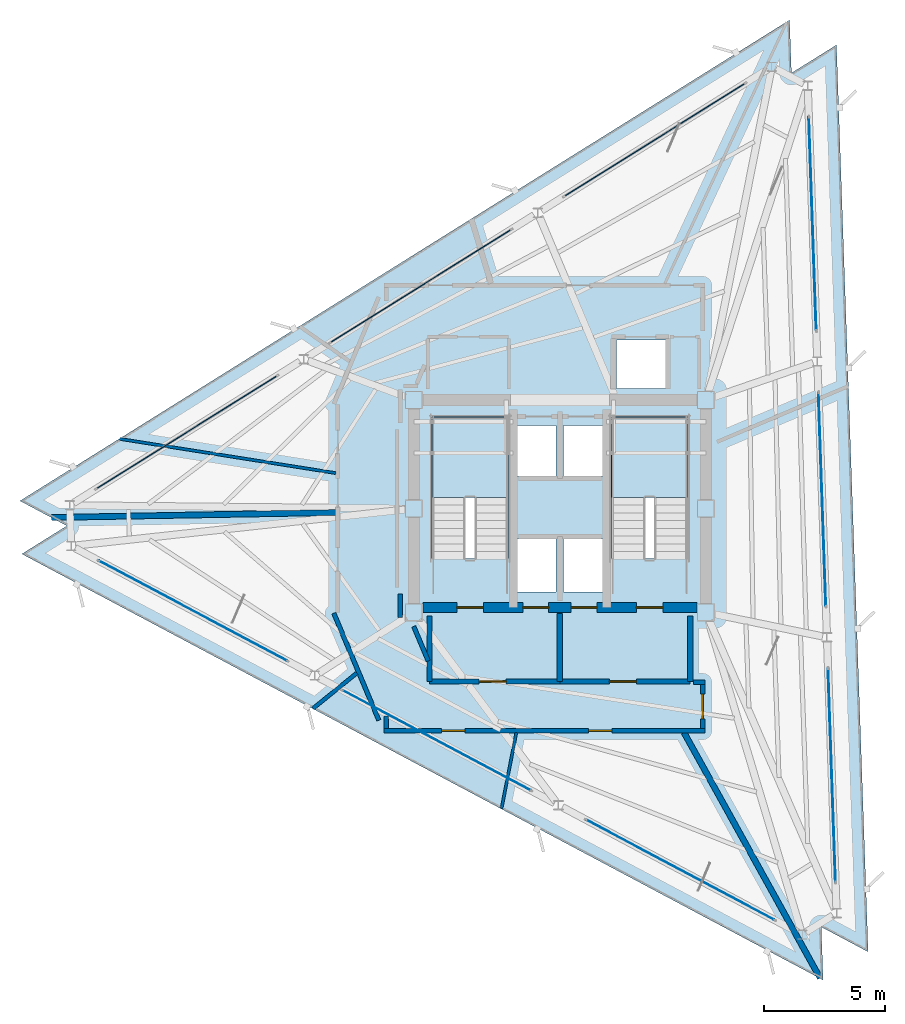
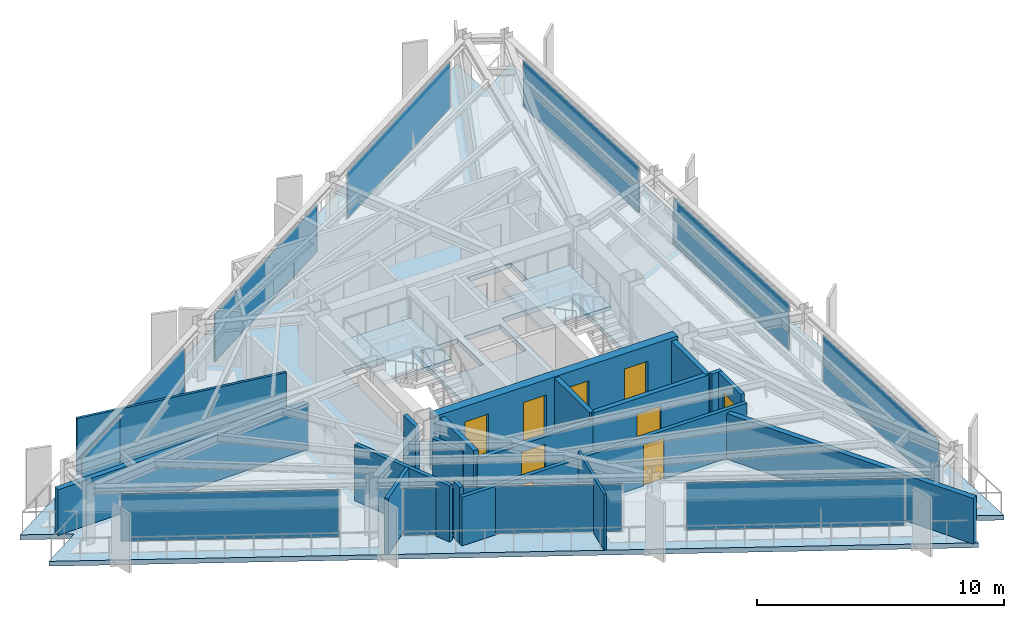
# One storey, part 8 of 13: 18 walls, 9 doors, 9 plates, 3 slabs, 9 openings, 11 elements without a shape of their own.
"""IFC4 building model written with IfcOpenShell, lengths in metres."""

from ifc_helpers import new_model, si_unit, direction, frame, frame_2d, origin, origin_2d, place, context, subcontext, project, spatial, polyline, rectangle, outline, extrude, material, layer, layer_set, type_object, element, fill, aggregate, save


model = new_model("IFC4")

# Units and contexts
model_context = context("Model", 3, precision=1e-05, world=origin(), true_north=direction((0.0, 1.0)))
body_context = subcontext(model_context, "Body", "Model", "MODEL_VIEW")
ifc_project = project(units=[si_unit("LENGTHUNIT", "METRE"), si_unit("AREAUNIT", "SQUARE_METRE"), si_unit("VOLUMEUNIT", "CUBIC_METRE"), si_unit("PLANEANGLEUNIT", "RADIAN"), si_unit("MASSUNIT", "GRAM", prefix="KILO")], contexts=[model_context])

# Site, building, storey
site_placement = place(None, origin())
site = spatial("IfcSite", under=ifc_project, at=site_placement, CompositionType="ELEMENT")
building_placement = place(site_placement, origin())
building = spatial("IfcBuilding", under=site, at=building_placement, Name="Rocaltana Carrier Exchange", CompositionType="ELEMENT")
storey_placement = place(building_placement, frame((0.0, 0.0, 196.639892578125)))
storey = spatial("IfcBuildingStorey", under=building, at=storey_placement, Name="L62", CompositionType="ELEMENT", Elevation=196.639892578125)

# Curtain wall, plate
ifc_material_1 = material(Name="Aluminium 6063-T6", Category="aluminium")
ifc_layer_1 = layer(ifc_material_1, 0.1201171875)
ifc_layer_set_1 = layer_set([ifc_layer_1], Name="Aluminium 6063-T6")
curtain_wall_type = type_object("IfcCurtainWallType", Name="High-Altitude Thermal Curtain Wall CW-05", PredefinedType="NOTDEFINED", material=ifc_layer_set_1)
curtain_wall_1_placement = place(storey_placement, origin())
curtain_wall_1 = element("IfcCurtainWall", 1, at=curtain_wall_1_placement, inside=storey, type_object=curtain_wall_type, Name="L62 CW-05 Run CW-L62-F1S1", PredefinedType="NOTDEFINED")
ifc_material_2 = material(Name="Tempered Laminated Glass", Category="glass")
ifc_layer_2 = layer(ifc_material_2, 0.035888671875)
ifc_layer_set_2 = layer_set([ifc_layer_2], Name="Tempered Laminated Glass")
plate_type = type_object("IfcPlateType", Name="CW-05 Stone-Insulated Vision Panel", PredefinedType="CURTAIN_PANEL", material=ifc_layer_set_2)
plate_1_placement = place(storey_placement, frame((11.266845703125, -11.046875, 0.06005859375), z_axis=(0.0, 0.0, 1.0), x_axis=(-0.034914127567, 0.999390315991, 0.0)))
plate_1 = element("IfcPlate", 2, at=plate_1_placement, type_object=plate_type, Name="CW-05 panel 1.1", PredefinedType="CURTAIN_PANEL", context=body_context, shape_type="SweptSolid", body=[
    extrude(rectangle(XDim=8.813232421875, YDim=0.035888671875, at=origin_2d()), origin(), (0.0, 0.0, 1.0), 2.327880859375),
])
aggregate(curtain_wall_1, [plate_1])

curtain_wall_2_placement = place(storey_placement, origin())
curtain_wall_2 = element("IfcCurtainWall", 3, at=curtain_wall_2_placement, inside=storey, type_object=curtain_wall_type, Name="L62 CW-05 Run CW-L62-F1S2", PredefinedType="NOTDEFINED")
plate_2_placement = place(storey_placement, frame((10.86767578125, 0.37939453125, 0.06005859375), z_axis=(0.0, 0.0, 1.0), x_axis=(-0.034902556738, 0.999390720156, 0.0)))
plate_2 = element("IfcPlate", 4, at=plate_2_placement, type_object=plate_type, Name="CW-05 panel 1.1", PredefinedType="CURTAIN_PANEL", context=body_context, shape_type="SweptSolid", body=[
    extrude(rectangle(XDim=8.8134765625, YDim=0.035888671875, at=origin_2d()), origin(), (0.0, 0.0, 1.0), 2.327880859375),
])
aggregate(curtain_wall_2, [plate_2])

curtain_wall_3_placement = place(storey_placement, origin())
curtain_wall_3 = element("IfcCurtainWall", 5, at=curtain_wall_3_placement, inside=storey, type_object=curtain_wall_type, Name="L62 CW-05 Run CW-L62-F1S3", PredefinedType="NOTDEFINED")
plate_3_placement = place(storey_placement, frame((10.46875, 11.805908203125, 0.06005859375), z_axis=(0.0, 0.0, 1.0), x_axis=(-0.034902556738, 0.999390720156, 0.0)))
plate_3 = element("IfcPlate", 6, at=plate_3_placement, type_object=plate_type, Name="CW-05 panel 1.1", PredefinedType="CURTAIN_PANEL", context=body_context, shape_type="SweptSolid", body=[
    extrude(rectangle(XDim=8.8134765625, YDim=0.035888671875, at=origin_2d()), origin(), (0.0, 0.0, 1.0), 2.327880859375),
])
aggregate(curtain_wall_3, [plate_3])

curtain_wall_4_placement = place(storey_placement, origin())
curtain_wall_4 = element("IfcCurtainWall", 7, at=curtain_wall_4_placement, inside=storey, type_object=curtain_wall_type, Name="L62 CW-05 Run CW-L62-F2S1", PredefinedType="NOTDEFINED")
plate_4_placement = place(storey_placement, frame((3.93359375, 15.28076171875, 0.06005859375), z_axis=(0.0, 0.0, 1.0), x_axis=(-0.848042322807, -0.529928503412, 0.0)))
plate_4 = element("IfcPlate", 8, at=plate_4_placement, type_object=plate_type, Name="CW-05 panel 1.1", PredefinedType="CURTAIN_PANEL", context=body_context, shape_type="SweptSolid", body=[
    extrude(rectangle(XDim=8.813232421875, YDim=0.035888671875, at=origin_2d()), origin(), (0.0, 0.0, 1.0), 2.327880859375),
])
aggregate(curtain_wall_4, [plate_4])

curtain_wall_5_placement = place(storey_placement, origin())
curtain_wall_5 = element("IfcCurtainWall", 9, at=curtain_wall_5_placement, inside=storey, type_object=curtain_wall_type, Name="L62 CW-05 Run CW-L62-F2S2", PredefinedType="NOTDEFINED")
plate_5_placement = place(storey_placement, frame((-5.762451171875, 9.221923828125, 0.06005859375), z_axis=(0.0, 0.0, 1.0), x_axis=(-0.848047353446, -0.529920452816, 0.0)))
plate_5 = element("IfcPlate", 10, at=plate_5_placement, type_object=plate_type, Name="CW-05 panel 1.1", PredefinedType="CURTAIN_PANEL", context=body_context, shape_type="SweptSolid", body=[
    extrude(rectangle(XDim=8.813232421875, YDim=0.035888671875, at=origin_2d()), origin(), (0.0, 0.0, 1.0), 2.327880859375),
])
aggregate(curtain_wall_5, [plate_5])

curtain_wall_6_placement = place(storey_placement, origin())
curtain_wall_6 = element("IfcCurtainWall", 11, at=curtain_wall_6_placement, inside=storey, type_object=curtain_wall_type, Name="L62 CW-05 Run CW-L62-F2S3", PredefinedType="NOTDEFINED")
plate_6_placement = place(storey_placement, frame((-15.45849609375, 3.163330078125, 0.06005859375), z_axis=(0.0, 0.0, 1.0), x_axis=(-0.848050496896, -0.529915422228, 0.0)))
plate_6 = element("IfcPlate", 12, at=plate_6_placement, type_object=plate_type, Name="CW-05 panel 1.1", PredefinedType="CURTAIN_PANEL", context=body_context, shape_type="SweptSolid", body=[
    extrude(rectangle(XDim=8.813232421875, YDim=0.035888671875, at=origin_2d()), origin(), (0.0, 0.0, 1.0), 2.327880859375),
])
aggregate(curtain_wall_6, [plate_6])

curtain_wall_7_placement = place(storey_placement, origin())
curtain_wall_7 = element("IfcCurtainWall", 13, at=curtain_wall_7_placement, inside=storey, type_object=curtain_wall_type, Name="L62 CW-05 Run CW-L62-F3S1", PredefinedType="NOTDEFINED")
plate_7_placement = place(storey_placement, frame((-15.2001953125, -4.23388671875, 0.06005859375), z_axis=(0.0, 0.0, 1.0), x_axis=(0.882941304732, -0.469483388841, 0.0)))
plate_7 = element("IfcPlate", 14, at=plate_7_placement, type_object=plate_type, Name="CW-05 panel 1.1", PredefinedType="CURTAIN_PANEL", context=body_context, shape_type="SweptSolid", body=[
    extrude(rectangle(XDim=8.8134765625, YDim=0.035888671875, at=origin_2d()), origin(), (0.0, 0.0, 1.0), 2.327880859375),
])
aggregate(curtain_wall_7, [plate_7])

curtain_wall_8_placement = place(storey_placement, origin())
curtain_wall_8 = element("IfcCurtainWall", 15, at=curtain_wall_8_placement, inside=storey, type_object=curtain_wall_type, Name="L62 CW-05 Run CW-L62-F3S2", PredefinedType="NOTDEFINED")
plate_8_placement = place(storey_placement, frame((-5.105224609375, -9.6015625, 0.06005859375), z_axis=(0.0, 0.0, 1.0), x_axis=(0.882943477624, -0.469479302335, 0.0)))
plate_8 = element("IfcPlate", 16, at=plate_8_placement, type_object=plate_type, Name="CW-05 panel 1.1", PredefinedType="CURTAIN_PANEL", context=body_context, shape_type="SweptSolid", body=[
    extrude(rectangle(XDim=8.813232421875, YDim=0.035888671875, at=origin_2d()), origin(), (0.0, 0.0, 1.0), 2.327880859375),
])
aggregate(curtain_wall_8, [plate_8])

curtain_wall_9_placement = place(storey_placement, origin())
curtain_wall_9 = element("IfcCurtainWall", 17, at=curtain_wall_9_placement, inside=storey, type_object=curtain_wall_type, Name="L62 CW-05 Run CW-L62-F3S3", PredefinedType="NOTDEFINED")
plate_9_placement = place(storey_placement, frame((4.98974609375, -14.968994140625, 0.06005859375), z_axis=(0.0, 0.0, 1.0), x_axis=(0.882945944879, -0.469474662173, 0.0)))
plate_9 = element("IfcPlate", 18, at=plate_9_placement, type_object=plate_type, Name="CW-05 panel 1.1", PredefinedType="CURTAIN_PANEL", context=body_context, shape_type="SweptSolid", body=[
    extrude(rectangle(XDim=8.8134765625, YDim=0.035888671875, at=origin_2d()), origin(), (0.0, 0.0, 1.0), 2.327880859375),
])
aggregate(curtain_wall_9, [plate_9])

# Slab
ifc_material_3 = material(Name="Concrete C50/60", Category="concrete")
ifc_layer_3 = layer(ifc_material_3, 0.239990234375)
ifc_layer_set_3 = layer_set([ifc_layer_3], Name="Concrete C50/60")
slab_type_1 = type_object("IfcSlabType", Name="High-Zone Tower Slab 240", PredefinedType="FLOOR", material=ifc_layer_set_3)
slab_1_placement = place(storey_placement, frame((0.0, 0.0, -0.239990234375)))
element("IfcSlab", 19, at=slab_1_placement, inside=storey, type_object=slab_type_1, Name="L62 Structural Floor Slab", PredefinedType="FLOOR", context=body_context, shape_type="SweptSolid", body=[
    extrude(outline(polyline([(10.907470703125, -19.53125), (10.83056640625, -17.33251953125), (12.773193359375, -18.365478515625), (11.4609375, 19.211669921875), (9.59521484375, 18.0458984375), (9.518310546875, 20.244384765625), (-22.3681640625, 0.319580078125), (-20.42578125, -0.71337890625), (-22.29150390625, -1.879150390625), (10.907470703125, -19.53125)]), holes=[polyline([(-5.300048828125, -2.06005859375), (-2.139892578125, -2.06005859375), (-2.139892578125, 3.800048828125), (-5.300048828125, 3.800048828125), (-5.300048828125, -2.06005859375)]), polyline([(2.139892578125, -2.06005859375), (5.300048828125, -2.06005859375), (5.300048828125, 3.800048828125), (2.139892578125, 3.800048828125), (2.139892578125, -2.06005859375)]), polyline([(-1.85009765625, -3.449951171875), (-0.14990234375, -3.449951171875), (-0.14990234375, -1.25), (-1.85009765625, -1.25), (-1.85009765625, -3.449951171875)]), polyline([(0.14990234375, -3.449951171875), (1.85009765625, -3.449951171875), (1.85009765625, -1.25), (0.14990234375, -1.25), (0.14990234375, -3.449951171875)]), polyline([(2.35009765625, 4.97998046875), (4.39990234375, 4.97998046875), (4.39990234375, 6.97998046875), (2.35009765625, 6.97998046875), (2.35009765625, 4.97998046875)]), polyline([(-1.85009765625, 1.35009765625), (-0.14990234375, 1.35009765625), (-0.14990234375, 3.449951171875), (-1.85009765625, 3.449951171875), (-1.85009765625, 1.35009765625)]), polyline([(0.14990234375, 1.35009765625), (1.85009765625, 1.35009765625), (1.85009765625, 3.449951171875), (0.14990234375, 3.449951171875), (0.14990234375, 1.35009765625)])]), origin(), (0.0, 0.0, 1.0), 0.239990234375),
])

# Stair, slab
ifc_material_4 = material(Name="Precast concrete C45/55", Category="concrete")
stair_type = type_object("IfcStairType", Name="Standard Dog-Leg Stair 160", PredefinedType="HALF_TURN_STAIR", material=ifc_material_4)
stair_1_placement = place(storey_placement, origin())
stair_1 = element("IfcStair", 20, at=stair_1_placement, inside=storey, type_object=stair_type, Name="L62 Core West Exit Stair ST-1", PredefinedType="HALF_TURN_STAIR")
ifc_material_5 = material(Name="Precast concrete C45/55", Category="concrete")
ifc_layer_4 = layer(ifc_material_5, 0.199951171875)
ifc_layer_set_4 = layer_set([ifc_layer_4], Name="Precast concrete C45/55")
slab_type_2 = type_object("IfcSlabType", Name="Precast Stair Half-Landing 200", PredefinedType="LANDING", material=ifc_layer_set_4)
slab_2_placement = place(storey_placement, frame((0.0, 0.0, 1.320068359375)))
slab_2 = element("IfcSlab", 21, at=slab_2_placement, type_object=slab_type_2, Name="ST-1 landing 1", PredefinedType="LANDING", context=body_context, shape_type="SweptSolid", body=[
    extrude(outline(polyline([(-2.139892578125, 0.4599609375), (-2.139892578125, 3.800048828125), (-5.300048828125, 3.800048828125), (-5.300048828125, 0.4599609375), (-2.139892578125, 0.4599609375)])), origin(), (0.0, 0.0, 1.0), 0.199951171875),
])
aggregate(stair_1, [slab_2])

stair_2_placement = place(storey_placement, origin())
stair_2 = element("IfcStair", 22, at=stair_2_placement, inside=storey, type_object=stair_type, Name="L62 Core East Exit Stair ST-2", PredefinedType="HALF_TURN_STAIR")
slab_3_placement = place(storey_placement, frame((0.0, 0.0, 1.320068359375)))
slab_3 = element("IfcSlab", 23, at=slab_3_placement, type_object=slab_type_2, Name="ST-2 landing 1", PredefinedType="LANDING", context=body_context, shape_type="SweptSolid", body=[
    extrude(outline(polyline([(5.300048828125, 0.4599609375), (5.300048828125, 3.800048828125), (2.139892578125, 3.800048828125), (2.139892578125, 0.4599609375), (5.300048828125, 0.4599609375)])), origin(), (0.0, 0.0, 1.0), 0.199951171875),
])
aggregate(stair_2, [slab_3])

# Wall
ifc_material_6 = material(Name="Double Acoustic Gypsum Partition", Category="gypsum")
ifc_layer_5 = layer(ifc_material_6, 0.159912109375)
ifc_layer_set_5 = layer_set([ifc_layer_5], Name="Double Acoustic Gypsum Partition")
wall_type_1 = type_object("IfcWallType", Name="Acoustic Studio Partition 160 EI60", PredefinedType="PARTITIONING", material=ifc_layer_set_5)
wall_1_placement = place(storey_placement, frame((-8.4111328125, -6.811279296875, 0.0), z_axis=(0.0, 0.0, 1.0), x_axis=(-0.777176762159, -0.629282353448, 0.0)))
element("IfcWall", 24, at=wall_1_placement, inside=storey, type_object=wall_type_1, Name="L62 Suite Divider Wall D2", PredefinedType="PARTITIONING", context=body_context, shape_type="SweptSolid", body=[
    extrude(rectangle(XDim=2.33740234375, YDim=0.159912109375, at=frame_2d((1.168701171875, 0.0))), origin(), (0.0, 0.0, 1.0), 2.773193359375),
])

# Wall, openings, doors
ifc_material_7 = material(Name="Concrete C50/60", Category="concrete")
ifc_layer_6 = layer(ifc_material_7, 0.39990234375)
ifc_layer_set_6 = layer_set([ifc_layer_6], Name="Concrete C50/60")
wall_type_2 = type_object("IfcWallType", Name="Core Internal Shear Wall 400", PredefinedType="SHEAR", material=ifc_layer_set_6)
wall_2_placement = place(storey_placement, frame((-5.675048828125, -4.10009765625, 0.0), z_axis=(0.0, 0.0, 1.0), x_axis=(1.0, 0.0, 0.0)))
wall_2 = element("IfcWall", 25, at=wall_2_placement, inside=storey, type_object=wall_type_2, Name="L62 Core Shear Wall CW-S", PredefinedType="SHEAR", context=body_context, shape_type="SweptSolid", body=[
    extrude(rectangle(XDim=11.35009765625, YDim=0.39990234375, at=frame_2d((5.675048828125, 0.0))), origin(), (0.0, 0.0, 1.0), 2.798095703125),
])
opening_1_placement = place(wall_2_placement, frame((1.405029296875, 0.0, 0.0)))
opening_1 = element("IfcOpeningElement", 26, at=opening_1_placement, cuts=wall_2, Name="Opening D-ST110", PredefinedType="OPENING", context=body_context, shape_type="SweptSolid", body=[
    extrude(rectangle(XDim=1.10009765625, YDim=2.0400390625, at=frame_2d((0.550048828125, 1.02001953125))), frame((0.0, 0.2099609375, 0.0), z_axis=(0.0, -1.0, 0.0), x_axis=(1.0, 0.0, 0.0)), (0.0, 0.0, 1.0), 0.419921875),
])
opening_2_placement = place(wall_2_placement, frame((8.844970703125, 0.0, 0.0)))
opening_2 = element("IfcOpeningElement", 27, at=opening_2_placement, cuts=wall_2, Name="Opening D-ST110", PredefinedType="OPENING", context=body_context, shape_type="SweptSolid", body=[
    extrude(rectangle(XDim=1.10009765625, YDim=2.0400390625, at=frame_2d((0.550048828125, 1.02001953125))), frame((0.0, 0.2099609375, 0.0), z_axis=(0.0, -1.0, 0.0), x_axis=(1.0, 0.0, 0.0)), (0.0, 0.0, 1.0), 0.419921875),
])
opening_3_placement = place(wall_2_placement, frame((4.14501953125, 0.0, 0.0)))
opening_3 = element("IfcOpeningElement", 28, at=opening_3_placement, cuts=wall_2, Name="Opening LD-110", PredefinedType="OPENING", context=body_context, shape_type="SweptSolid", body=[
    extrude(rectangle(XDim=1.06005859375, YDim=2.0400390625, at=frame_2d((0.530029296875, 1.02001953125))), frame((0.0, 0.2099609375, 0.0), z_axis=(0.0, -1.0, 0.0), x_axis=(1.0, 0.0, 0.0)), (0.0, 0.0, 1.0), 0.419921875),
])
opening_4_placement = place(wall_2_placement, frame((6.14501953125, 0.0, 0.0)))
opening_4 = element("IfcOpeningElement", 29, at=opening_4_placement, cuts=wall_2, Name="Opening LD-110", PredefinedType="OPENING", context=body_context, shape_type="SweptSolid", body=[
    extrude(rectangle(XDim=1.06005859375, YDim=2.0400390625, at=frame_2d((0.530029296875, 1.02001953125))), frame((0.0, 0.2099609375, 0.0), z_axis=(0.0, -1.0, 0.0), x_axis=(1.0, 0.0, 0.0)), (0.0, 0.0, 1.0), 0.419921875),
])
ifc_material_8 = material(Name="Hollow Metal Fire Door Assembly", Category="steel")
door_type_1 = type_object("IfcDoorType", Name="Exit Stair Fire Door 1100x2040 FD90S", OperationType="NOTDEFINED", PredefinedType="DOOR", material=ifc_material_8)
door_1_placement = place(opening_1_placement, origin())
door_1 = element("IfcDoor", 30, at=door_1_placement, inside=storey, type_object=door_type_1, Name="L62 Exit Stair ST1 Fire Door", OperationType="SINGLE_SWING_LEFT", OverallHeight=2.0400390625, OverallWidth=1.10009765625, PredefinedType="DOOR", context=body_context, shape_type="SweptSolid", body=[
    extrude(rectangle(XDim=1.10009765625, YDim=2.0400390625, at=frame_2d((0.550048828125, 1.02001953125))), frame((0.0, 0.02490234375, 0.0), z_axis=(0.0, -1.0, 0.0), x_axis=(1.0, 0.0, 0.0)), (0.0, 0.0, 1.0), 0.050048828125),
])
fill(opening_1, door_1)
door_2_placement = place(opening_2_placement, origin())
door_2 = element("IfcDoor", 31, at=door_2_placement, inside=storey, type_object=door_type_1, Name="L62 Exit Stair ST2 Fire Door", OperationType="SINGLE_SWING_RIGHT", OverallHeight=2.0400390625, OverallWidth=1.10009765625, PredefinedType="DOOR", context=body_context, shape_type="SweptSolid", body=[
    extrude(rectangle(XDim=1.10009765625, YDim=2.0400390625, at=frame_2d((0.550048828125, 1.02001953125))), frame((0.0, 0.02490234375, 0.0), z_axis=(0.0, -1.0, 0.0), x_axis=(1.0, 0.0, 0.0)), (0.0, 0.0, 1.0), 0.050048828125),
])
fill(opening_2, door_2)
ifc_material_9 = material(Name="Brushed Stainless Sliding Door Leaf", Category="steel")
door_type_2 = type_object("IfcDoorType", Name="Lift Landing Sliding Door 1060x2040", OperationType="NOTDEFINED", PredefinedType="DOOR", material=ifc_material_9)
door_3_placement = place(opening_3_placement, origin())
door_3 = element("IfcDoor", 32, at=door_3_placement, inside=storey, type_object=door_type_2, Name="L62 Firefighting Lift FFL1 Landing Door", OperationType="SLIDING_TO_LEFT", OverallHeight=2.0400390625, OverallWidth=1.06005859375, PredefinedType="DOOR", context=body_context, shape_type="SweptSolid", body=[
    extrude(rectangle(XDim=1.06005859375, YDim=2.0400390625, at=frame_2d((0.530029296875, 1.02001953125))), frame((0.0, 0.02490234375, 0.0), z_axis=(0.0, -1.0, 0.0), x_axis=(1.0, 0.0, 0.0)), (0.0, 0.0, 1.0), 0.050048828125),
])
fill(opening_3, door_3)
door_4_placement = place(opening_4_placement, origin())
door_4 = element("IfcDoor", 33, at=door_4_placement, inside=storey, type_object=door_type_2, Name="L62 Firefighting Lift FFL2 Landing Door", OperationType="SLIDING_TO_RIGHT", OverallHeight=2.0400390625, OverallWidth=1.06005859375, PredefinedType="DOOR", context=body_context, shape_type="SweptSolid", body=[
    extrude(rectangle(XDim=1.06005859375, YDim=2.0400390625, at=frame_2d((0.530029296875, 1.02001953125))), frame((0.0, 0.02490234375, 0.0), z_axis=(0.0, -1.0, 0.0), x_axis=(1.0, 0.0, 0.0)), (0.0, 0.0, 1.0), 0.050048828125),
])
fill(opening_4, door_4)

# Walls
ifc_material_10 = material(Name="Gypsum & Steel Stud Partition", Category="steel")
ifc_layer_7 = layer(ifc_material_10, 0.179931640625)
ifc_layer_set_7 = layer_set([ifc_layer_7], Name="Gypsum & Steel Stud Partition")
wall_type_3 = type_object("IfcWallType", Name="Corridor Fire Partition 180 EI60", PredefinedType="PARTITIONING", material=ifc_layer_set_7)
wall_3_placement = place(storey_placement, frame((-7.501220703125, -8.768798828125, 0.0), z_axis=(0.0, 0.0, 1.0), x_axis=(-0.387573945081, 0.921838617706, 0.0)))
element("IfcWall", 34, at=wall_3_placement, inside=storey, type_object=wall_type_3, Name="L62 Corridor Partition 1", PredefinedType="PARTITIONING", context=body_context, shape_type="SweptSolid", body=[
    extrude(rectangle(XDim=4.813232421875, YDim=0.179931640625, at=frame_2d((2.40673828125, 0.0))), origin(), (0.0, 0.0, 1.0), 2.773193359375),
])
wall_4_placement = place(storey_placement, frame((-6.610107421875, -3.541259765625, 0.0), z_axis=(0.0, 0.0, 1.0), x_axis=(0.0, -1.0, 0.0)))
element("IfcWall", 35, at=wall_4_placement, inside=storey, type_object=wall_type_3, Name="L62 Corridor Partition 12", PredefinedType="PARTITIONING", context=body_context, shape_type="SweptSolid", body=[
    extrude(rectangle(XDim=0.978759765625, YDim=0.179931640625, at=frame_2d((0.4892578125, 0.0))), origin(), (0.0, 0.0, 1.0), 2.773193359375),
])
wall_5_placement = place(storey_placement, frame((-6.0546875, -4.881591796875, 0.0), z_axis=(0.0, 0.0, 1.0), x_axis=(0.387579540458, -0.921836265189, 0.0)))
element("IfcWall", 36, at=wall_5_placement, inside=storey, type_object=wall_type_3, Name="L62 Corridor Partition 13", PredefinedType="PARTITIONING", context=body_context, shape_type="SweptSolid", body=[
    extrude(rectangle(XDim=1.5546875, YDim=0.179931640625, at=frame_2d((0.77734375, 0.0))), origin(), (0.0, 0.0, 1.0), 2.253173828125),
])
wall_6_placement = place(storey_placement, frame((5.530029296875, -7.199951171875, 0.0), z_axis=(0.0, 0.0, 1.0), x_axis=(1.0, 0.0, 0.0)))
element("IfcWall", 37, at=wall_6_placement, inside=storey, type_object=wall_type_3, Name="L62 Corridor Partition 14", PredefinedType="PARTITIONING", context=body_context, shape_type="SweptSolid", body=[
    extrude(rectangle(XDim=0.47998046875, YDim=0.179931640625, at=frame_2d((0.239990234375, 0.0))), origin(), (0.0, 0.0, 1.0), 2.773193359375),
])

# Wall, opening, door
wall_7_placement = place(storey_placement, frame((5.919921875, -7.2900390625, 0.0), z_axis=(0.0, 0.0, 1.0), x_axis=(0.0, -1.0, 0.0)))
wall_7 = element("IfcWall", 38, at=wall_7_placement, inside=storey, type_object=wall_type_3, Name="L62 Corridor Partition 15", PredefinedType="PARTITIONING", context=body_context, shape_type="SweptSolid", body=[
    extrude(rectangle(XDim=1.820068359375, YDim=0.179931640625, at=frame_2d((0.91015625, 0.0))), origin(), (0.0, 0.0, 1.0), 2.773193359375),
])
opening_5_placement = place(wall_7_placement, frame((0.39990234375, 0.0, 0.0)))
opening_5 = element("IfcOpeningElement", 39, at=opening_5_placement, cuts=wall_7, Name="Opening D-LB104", PredefinedType="OPENING", context=body_context, shape_type="SweptSolid", body=[
    extrude(rectangle(XDim=1.02001953125, YDim=2.02001953125, at=frame_2d((0.510009765625, 1.010009765625))), frame((0.0, 0.099853515625, 0.0), z_axis=(0.0, -1.0, 0.0), x_axis=(1.0, 0.0, 0.0)), (0.0, 0.0, 1.0), 0.199951171875),
])
ifc_material_11 = material(Name="Powder-Coated Aluminium 6063-T6", Category="aluminium")
door_type_3 = type_object("IfcDoorType", Name="Laboratory Acoustic Door 1020x2020", OperationType="NOTDEFINED", PredefinedType="DOOR", material=ifc_material_11)
door_5_placement = place(opening_5_placement, origin())
door_5 = element("IfcDoor", 40, at=door_5_placement, inside=storey, type_object=door_type_3, Name="L62 Optical Switching Laboratory Entrance Door", OperationType="SINGLE_SWING_RIGHT", OverallHeight=2.02001953125, OverallWidth=1.02001953125, PredefinedType="DOOR", context=body_context, shape_type="SweptSolid", body=[
    extrude(rectangle(XDim=1.02001953125, YDim=2.02001953125, at=frame_2d((0.510009765625, 1.010009765625))), frame((0.0, 0.02490234375, 0.0), z_axis=(0.0, -1.0, 0.0), x_axis=(1.0, 0.0, 0.0)), (0.0, 0.0, 1.0), 0.050048828125),
])
fill(opening_5, door_5)

# Wall, openings, doors
wall_8_placement = place(storey_placement, frame((6.010009765625, -9.199951171875, 0.0), z_axis=(0.0, 0.0, 1.0), x_axis=(-1.0, 0.0, 0.0)))
wall_8 = element("IfcWall", 41, at=wall_8_placement, inside=storey, type_object=wall_type_3, Name="L62 Corridor Partition 16", PredefinedType="PARTITIONING", context=body_context, shape_type="SweptSolid", body=[
    extrude(rectangle(XDim=13.300048828125, YDim=0.179931640625, at=frame_2d((6.64990234375, 0.0))), origin(), (0.0, 0.0, 1.0), 2.39501953125),
])
opening_6_placement = place(wall_8_placement, frame((9.947509765625, 0.0, 0.0)))
opening_6 = element("IfcOpeningElement", 42, at=opening_6_placement, cuts=wall_8, Name="Opening D-RM098", PredefinedType="OPENING", context=body_context, shape_type="SweptSolid", body=[
    extrude(rectangle(XDim=0.9599609375, YDim=2.02001953125, at=frame_2d((0.47998046875, 1.010009765625))), frame((0.0, 0.099853515625, 0.0), z_axis=(0.0, -1.0, 0.0), x_axis=(1.0, 0.0, 0.0)), (0.0, 0.0, 1.0), 0.199951171875),
])
opening_7_placement = place(wall_8_placement, frame((3.857177734375, 0.0, 0.0)))
opening_7 = element("IfcOpeningElement", 43, at=opening_7_placement, cuts=wall_8, Name="Opening D-RM098", PredefinedType="OPENING", context=body_context, shape_type="SweptSolid", body=[
    extrude(rectangle(XDim=0.9599609375, YDim=2.02001953125, at=frame_2d((0.47998046875, 1.010009765625))), frame((0.0, 0.099853515625, 0.0), z_axis=(0.0, -1.0, 0.0), x_axis=(1.0, 0.0, 0.0)), (0.0, 0.0, 1.0), 0.199951171875),
])
ifc_material_12 = material(Name="Engineered Hardwood Timber", Category="wood")
door_type_4 = type_object("IfcDoorType", Name="Workspace Single Door 960x2020", OperationType="NOTDEFINED", PredefinedType="DOOR", material=ifc_material_12)
door_6_placement = place(opening_6_placement, origin())
door_6 = element("IfcDoor", 44, at=door_6_placement, inside=storey, type_object=door_type_4, Name="L62 Incident Briefing Room Entrance Door", OperationType="SINGLE_SWING_RIGHT", OverallHeight=2.02001953125, OverallWidth=0.9599609375, PredefinedType="DOOR", context=body_context, shape_type="SweptSolid", body=[
    extrude(rectangle(XDim=0.9599609375, YDim=2.02001953125, at=frame_2d((0.47998046875, 1.010009765625))), frame((0.0, 0.02490234375, 0.0), z_axis=(0.0, -1.0, 0.0), x_axis=(1.0, 0.0, 0.0)), (0.0, 0.0, 1.0), 0.050048828125),
])
fill(opening_6, door_6)
door_7_placement = place(opening_7_placement, origin())
door_7 = element("IfcDoor", 45, at=door_7_placement, inside=storey, type_object=door_type_4, Name="L62 Peering Conference Room Entrance Door", OperationType="SINGLE_SWING_LEFT", OverallHeight=2.02001953125, OverallWidth=0.9599609375, PredefinedType="DOOR", context=body_context, shape_type="SweptSolid", body=[
    extrude(rectangle(XDim=0.9599609375, YDim=2.02001953125, at=frame_2d((0.47998046875, 1.010009765625))), frame((0.0, 0.02490234375, 0.0), z_axis=(0.0, -1.0, 0.0), x_axis=(1.0, 0.0, 0.0)), (0.0, 0.0, 1.0), 0.050048828125),
])
fill(opening_7, door_7)

# Walls
wall_9_placement = place(storey_placement, frame((-7.199951171875, -9.110107421875, 0.0), z_axis=(0.0, 0.0, 1.0), x_axis=(0.0, 1.0, 0.0)))
element("IfcWall", 46, at=wall_9_placement, inside=storey, type_object=wall_type_3, Name="L62 Corridor Partition 17", PredefinedType="PARTITIONING", context=body_context, shape_type="SweptSolid", body=[
    extrude(rectangle(XDim=0.509521484375, YDim=0.179931640625, at=frame_2d((0.2548828125, 0.0))), origin(), (0.0, 0.0, 1.0), 2.773193359375),
])
ifc_material_13 = material(Name="Aluminium 6063-T6 & Acoustic Glass", Category="aluminium")
ifc_layer_8 = layer(ifc_material_13, 0.114990234375)
ifc_layer_set_8 = layer_set([ifc_layer_8], Name="Aluminium 6063-T6 & Acoustic Glass")
wall_type_4 = type_object("IfcWallType", Name="Demountable Glazed Lab Partition 115", PredefinedType="MOVABLE", material=ifc_layer_set_8)
wall_10_placement = place(storey_placement, frame((-1.8037109375, -9.280029296875, 0.0), z_axis=(0.0, 0.0, 1.0), x_axis=(-0.190810698239, -0.981626852443, 0.0)))
element("IfcWall", 47, at=wall_10_placement, inside=storey, type_object=wall_type_4, Name="L62 Suite Divider Wall D3", PredefinedType="MOVABLE", context=body_context, shape_type="SweptSolid", body=[
    extrude(rectangle(XDim=3.214111328125, YDim=0.114990234375, at=frame_2d((1.60693359375, 0.0))), origin(), (0.0, 0.0, 1.0), 2.773193359375),
])
wall_11_placement = place(storey_placement, frame((-9.280029296875, 1.4697265625, 0.0), z_axis=(0.0, 0.0, 1.0), x_axis=(-0.987686019225, 0.156449120891, 0.0)))
element("IfcWall", 48, at=wall_11_placement, inside=storey, type_object=wall_type_4, Name="L62 Suite Divider Wall D9", PredefinedType="MOVABLE", context=body_context, shape_type="SweptSolid", body=[
    extrude(rectangle(XDim=9.069580078125, YDim=0.114990234375, at=frame_2d((4.53466796875, 0.0))), origin(), (0.0, 0.0, 1.0), 2.773193359375),
])
ifc_material_14 = material(Name="Autoclaved Aerated Concrete C30/37", Category="concrete")
ifc_layer_9 = layer(ifc_material_14, 0.219970703125)
ifc_layer_set_9 = layer_set([ifc_layer_9], Name="Autoclaved Aerated Concrete C30/37")
wall_type_5 = type_object("IfcWallType", Name="Firefighting Lobby Wall 220 EI120", PredefinedType="PARTITIONING", material=ifc_layer_set_9)
for number, where, z_axis, x_axis, name in (
    (49, (-5.39990234375, -7.159912109375, 0.0), (0.0, 0.0, 1.0), (0.0, 1.0, 0.0), "L62 FFL Lobby 1 West Wall"),
    (50, (5.39990234375, -7.159912109375, 0.0), (0.0, 0.0, 1.0), (0.0, 1.0, 0.0), "L62 FFL Lobby 2 East Wall"),
):
    element("IfcWall", number, at=place(storey_placement, frame(where, z_axis=z_axis, x_axis=x_axis)), inside=storey, type_object=wall_type_5, Name=name, PredefinedType="PARTITIONING", context=body_context, shape_type="SweptSolid", body=[
        extrude(rectangle(XDim=2.7099609375, YDim=0.219970703125, at=frame_2d((1.35498046875, 0.0))), origin(), (0.0, 0.0, 1.0), 2.773193359375),
    ])
wall_12_placement = place(storey_placement, frame((0.0, -7.159912109375, 0.0), z_axis=(0.0, 0.0, 1.0), x_axis=(0.0, 1.0, 0.0)))
element("IfcWall", 51, at=wall_12_placement, inside=storey, type_object=wall_type_5, Name="L62 FFL Lobby Centre Wall", PredefinedType="PARTITIONING", context=body_context, shape_type="SweptSolid", body=[
    extrude(rectangle(XDim=2.809814453125, YDim=0.219970703125, at=frame_2d((1.40478515625, 0.0))), origin(), (0.0, 0.0, 1.0), 2.773193359375),
])

# Wall, opening, door
wall_13_placement = place(storey_placement, frame((-5.39990234375, -7.159912109375, 0.0), z_axis=(0.0, 0.0, 1.0), x_axis=(1.0, 0.0, 0.0)))
wall_13 = element("IfcWall", 52, at=wall_13_placement, inside=storey, type_object=wall_type_5, Name="L62 FFL Lobby 1 South Wall", PredefinedType="PARTITIONING", context=body_context, shape_type="SweptSolid", body=[
    extrude(rectangle(XDim=5.39990234375, YDim=0.219970703125, at=frame_2d((2.699951171875, 0.0))), origin(), (0.0, 0.0, 1.0), 2.39501953125),
])
opening_8_placement = place(wall_13_placement, frame((2.050048828125, 0.0, 0.0)))
opening_8 = element("IfcOpeningElement", 53, at=opening_8_placement, cuts=wall_13, Name="Opening D-FF115", PredefinedType="OPENING", context=body_context, shape_type="SweptSolid", body=[
    extrude(rectangle(XDim=1.1201171875, YDim=2.02001953125, at=frame_2d((0.56005859375, 1.010009765625))), frame((0.0, 0.119873046875, 0.0), z_axis=(0.0, -1.0, 0.0), x_axis=(1.0, 0.0, 0.0)), (0.0, 0.0, 1.0), 0.239990234375),
])
ifc_material_15 = material(Name="Hollow Metal Fire Door Assembly", Category="steel")
door_type_5 = type_object("IfcDoorType", Name="Firefighting Lobby Door 1120x2020 FD60S", OperationType="NOTDEFINED", PredefinedType="DOOR", material=ifc_material_15)
door_8_placement = place(opening_8_placement, origin())
door_8 = element("IfcDoor", 54, at=door_8_placement, inside=storey, type_object=door_type_5, Name="L62 Firefighting Lift Lobby 1 Door", OperationType="SINGLE_SWING_LEFT", OverallHeight=2.02001953125, OverallWidth=1.1201171875, PredefinedType="DOOR", context=body_context, shape_type="SweptSolid", body=[
    extrude(rectangle(XDim=1.1201171875, YDim=2.02001953125, at=frame_2d((0.56005859375, 1.010009765625))), frame((0.0, 0.02490234375, 0.0), z_axis=(0.0, -1.0, 0.0), x_axis=(1.0, 0.0, 0.0)), (0.0, 0.0, 1.0), 0.050048828125),
])
fill(opening_8, door_8)

wall_14_placement = place(storey_placement, frame((0.0, -7.159912109375, 0.0), z_axis=(0.0, 0.0, 1.0), x_axis=(1.0, 0.0, 0.0)))
wall_14 = element("IfcWall", 55, at=wall_14_placement, inside=storey, type_object=wall_type_5, Name="L62 FFL Lobby 2 South Wall", PredefinedType="PARTITIONING", context=body_context, shape_type="SweptSolid", body=[
    extrude(rectangle(XDim=5.39990234375, YDim=0.219970703125, at=frame_2d((2.699951171875, 0.0))), origin(), (0.0, 0.0, 1.0), 2.773193359375),
])
opening_9_placement = place(wall_14_placement, frame((2.050048828125, 0.0, 0.0)))
opening_9 = element("IfcOpeningElement", 56, at=opening_9_placement, cuts=wall_14, Name="Opening D-FF115", PredefinedType="OPENING", context=body_context, shape_type="SweptSolid", body=[
    extrude(rectangle(XDim=1.1201171875, YDim=2.02001953125, at=frame_2d((0.56005859375, 1.010009765625))), frame((0.0, 0.119873046875, 0.0), z_axis=(0.0, -1.0, 0.0), x_axis=(1.0, 0.0, 0.0)), (0.0, 0.0, 1.0), 0.239990234375),
])
door_9_placement = place(opening_9_placement, origin())
door_9 = element("IfcDoor", 57, at=door_9_placement, inside=storey, type_object=door_type_5, Name="L62 Firefighting Lift Lobby 2 Door", OperationType="SINGLE_SWING_RIGHT", OverallHeight=2.02001953125, OverallWidth=1.1201171875, PredefinedType="DOOR", context=body_context, shape_type="SweptSolid", body=[
    extrude(rectangle(XDim=1.1201171875, YDim=2.02001953125, at=frame_2d((0.56005859375, 1.010009765625))), frame((0.0, 0.02490234375, 0.0), z_axis=(0.0, -1.0, 0.0), x_axis=(1.0, 0.0, 0.0)), (0.0, 0.0, 1.0), 0.050048828125),
])
fill(opening_9, door_9)

# Walls
ifc_material_16 = material(Name="Acoustic Calcium Silicate Partition", Category="gypsum")
ifc_layer_10 = layer(ifc_material_16, 0.239990234375)
ifc_layer_set_10 = layer_set([ifc_layer_10], Name="Acoustic Calcium Silicate Partition")
wall_type_6 = type_object("IfcWallType", Name="Heavy Lab Partition 240 EI90", PredefinedType="PARTITIONING", material=ifc_layer_set_10)
wall_15_placement = place(storey_placement, frame((-9.280029296875, -0.162109375, 0.0), z_axis=(0.0, 0.0, 1.0), x_axis=(-0.999847998997, -0.017434990714, 0.0)))
element("IfcWall", 58, at=wall_15_placement, inside=storey, type_object=wall_type_6, Name="L62 Suite Divider Wall D1", PredefinedType="PARTITIONING", context=body_context, shape_type="SweptSolid", body=[
    extrude(rectangle(XDim=11.7763671875, YDim=0.239990234375, at=frame_2d((5.88818359375, 0.0))), origin(), (0.0, 0.0, 1.0), 2.253173828125),
])
wall_16_placement = place(storey_placement, frame((5.14404296875, -9.280029296875, 0.0), z_axis=(0.0, 0.0, 1.0), x_axis=(0.484798043034, -0.874626124393, 0.0)))
element("IfcWall", 59, at=wall_16_placement, inside=storey, type_object=wall_type_6, Name="L62 Suite Divider Wall D4", PredefinedType="PARTITIONING", context=body_context, shape_type="SweptSolid", body=[
    extrude(rectangle(XDim=11.632568359375, YDim=0.239990234375, at=frame_2d((5.81640625, 0.0))), origin(), (0.0, 0.0, 1.0), 2.253173828125),
])

save(model, "model.ifc")
